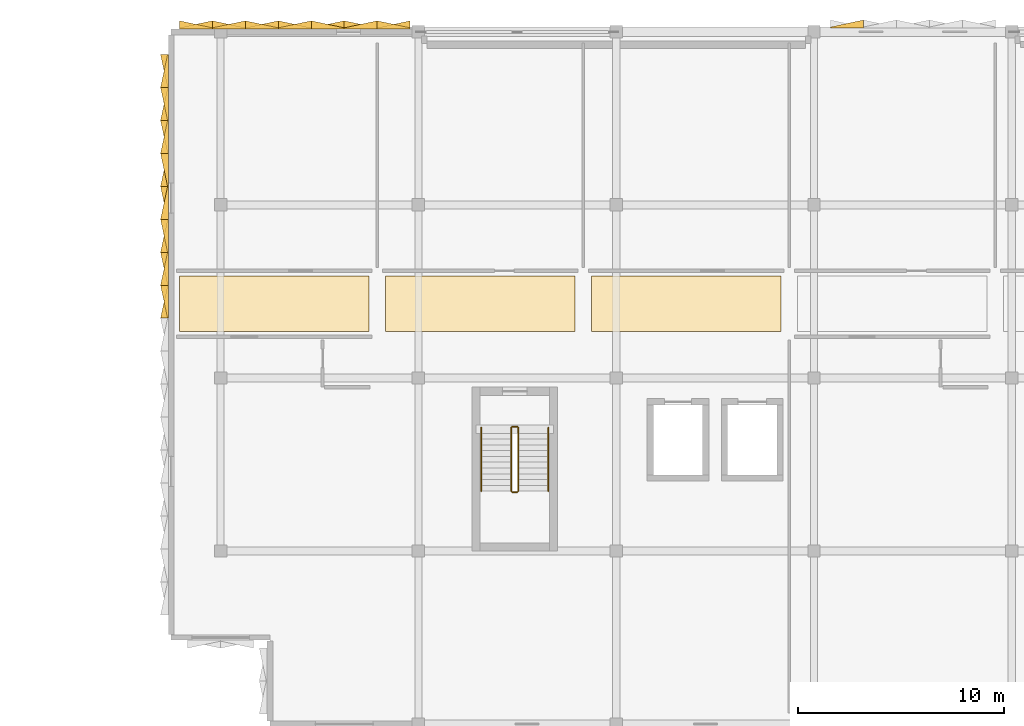
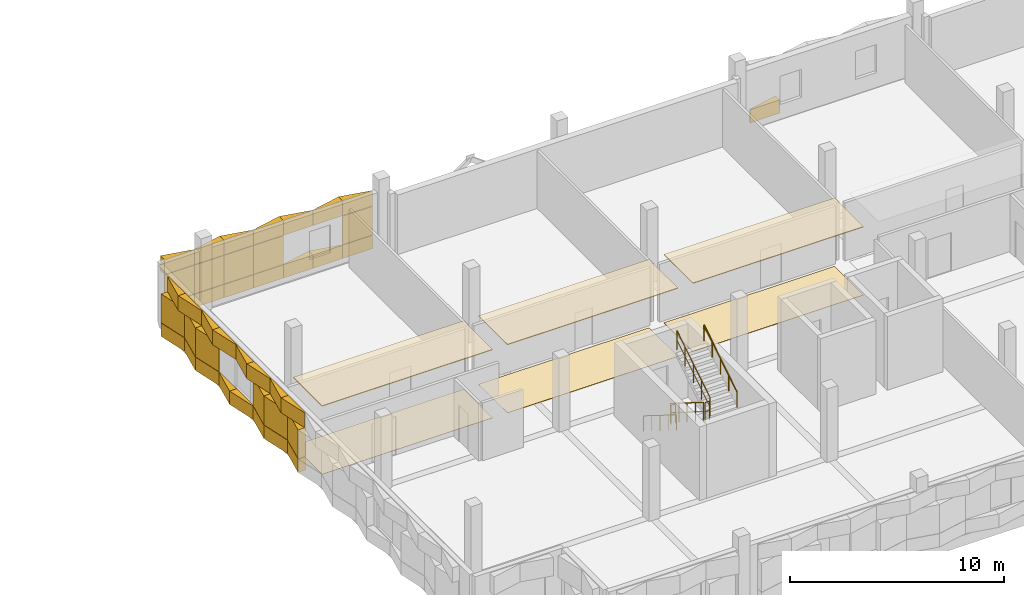
# One storey, part 16 of 18: 48 coverings, 6 railings.
"""IFC4 building model written with IfcOpenShell, lengths in metres."""

from ifc_helpers import new_model, si_unit, direction, frame, origin, origin_2d, place, context, subcontext, project, spatial, polyline, circle, outline, extrude, material, layer, layer_set, type_object, element, save


model = new_model("IFC4")

# Units and contexts
model_context = context("Model", 3, precision=1e-05, world=origin(), true_north=direction((0.0, 1.0)))
body_context = subcontext(model_context, "Body", "Model", "MODEL_VIEW")
ifc_project = project(units=[si_unit("LENGTHUNIT", "METRE"), si_unit("AREAUNIT", "SQUARE_METRE"), si_unit("VOLUMEUNIT", "CUBIC_METRE"), si_unit("PLANEANGLEUNIT", "RADIAN"), si_unit("MASSUNIT", "GRAM", prefix="KILO")], contexts=[model_context])

# Site, building, storey
site_placement = place(None, origin())
site = spatial("IfcSite", under=ifc_project, at=site_placement, CompositionType="ELEMENT")
building_placement = place(site_placement, origin())
building = spatial("IfcBuilding", under=site, at=building_placement, Name="Oolite Switchyard Hospital", CompositionType="ELEMENT")
storey_placement = place(building_placement, frame((0.0, 0.0, 26.199951171875)))
storey = spatial("IfcBuildingStorey", under=building, at=storey_placement, Name="L06", CompositionType="ELEMENT", Elevation=26.199951171875)

# Coverings
ifc_material_1 = material(Name="Hygienic washable mineral-fibre acoustic ceiling")
ifc_layer_1 = layer(ifc_material_1, 0.0400390625)
ifc_layer_set_1 = layer_set([ifc_layer_1], Name="COV-CEIL-AC60")
covering_type_1 = type_object("IfcCoveringType", Name="COV-CEIL-AC60", PredefinedType="CEILING", material=ifc_layer_set_1)
covering_1_placement = place(storey_placement, frame((0.0, 0.0, 3.885009765625)))
element("IfcCovering", 1, at=covering_1_placement, inside=storey, type_object=covering_type_1, Name="L06 East Stroke and Neuro-Rehab Ward Corridor Ceiling 1", PredefinedType="CEILING", context=body_context, shape_type="SweptSolid", body=[
    extrude(outline(polyline([(142.0, 119.85009765625), (151.199951171875, 119.85009765625), (151.199951171875, 122.550048828125), (142.0, 122.550048828125), (142.0, 119.85009765625)])), origin(), (0.0, 0.0, 1.0), 0.0400390625),
])
covering_2_placement = place(storey_placement, frame((0.0, 0.0, 3.885009765625)))
element("IfcCovering", 2, at=covering_2_placement, inside=storey, type_object=covering_type_1, Name="L06 East Stroke and Neuro-Rehab Ward Corridor Ceiling 2", PredefinedType="CEILING", context=body_context, shape_type="SweptSolid", body=[
    extrude(outline(polyline([(152.0, 119.85009765625), (161.199951171875, 119.85009765625), (161.199951171875, 122.550048828125), (152.0, 122.550048828125), (152.0, 119.85009765625)])), origin(), (0.0, 0.0, 1.0), 0.0400390625),
])
covering_3_placement = place(storey_placement, frame((0.0, 0.0, 3.885009765625)))
element("IfcCovering", 3, at=covering_3_placement, inside=storey, type_object=covering_type_1, Name="L06 East Stroke and Neuro-Rehab Ward Corridor Ceiling 3", PredefinedType="CEILING", context=body_context, shape_type="SweptSolid", body=[
    extrude(outline(polyline([(162.0, 119.85009765625), (171.199951171875, 119.85009765625), (171.199951171875, 122.550048828125), (162.0, 122.550048828125), (162.0, 119.85009765625)])), origin(), (0.0, 0.0, 1.0), 0.0400390625),
])
ifc_material_2 = material(Name="Precast oolitic limestone architectural concrete C40/50", Category="masonry")
covering_type_2 = type_object("IfcCoveringType", Name="COV-CHEV-COOL", PredefinedType="CLADDING", material=ifc_material_2)
covering_4_placement = place(storey_placement, frame((142.0, 134.550048828125, 0.050048828125), z_axis=(0.0, 0.0, 1.0), x_axis=(1.0, 0.0, 0.0)))
element("IfcCovering", 4, at=covering_4_placement, inside=storey, type_object=covering_type_2, Name="L06 Chevron Precast Oolite Panel 1534", PredefinedType="CLADDING", context=body_context, shape_type="SweptSolid", body=[
    extrude(outline(polyline([(0.0, 0.0), (1.60009765625, 0.0), (1.60009765625, 0.385009765625), (0.0, 0.044921875), (0.0, 0.0)])), origin(), (0.0, 0.0, 1.0), 0.760009765625),
])
covering_5_placement = place(storey_placement, frame((142.0, 134.550048828125, 2.489990234375), z_axis=(0.0, 0.0, 1.0), x_axis=(1.0, 0.0, 0.0)))
element("IfcCovering", 5, at=covering_5_placement, inside=storey, type_object=covering_type_2, Name="L06 Chevron Precast Oolite Panel 1535", PredefinedType="CLADDING", context=body_context, shape_type="SweptSolid", body=[
    extrude(outline(polyline([(0.0, 0.0), (1.60009765625, 0.0), (1.60009765625, 0.044921875), (0.0, 0.385009765625), (0.0, 0.0)])), origin(), (0.0, 0.0, 1.0), 0.85009765625),
])
covering_6_placement = place(storey_placement, frame((142.0, 134.550048828125, 0.830078125), z_axis=(0.0, 0.0, 1.0), x_axis=(1.0, 0.0, 0.0)))
element("IfcCovering", 6, at=covering_6_placement, inside=storey, type_object=covering_type_2, Name="L06 Chevron Precast Oolite Panel 1536", PredefinedType="CLADDING", context=body_context, shape_type="SweptSolid", body=[
    extrude(outline(polyline([(0.0, 0.0), (1.60009765625, 0.0), (1.60009765625, 0.385009765625), (0.0, 0.044921875), (0.0, 0.0)])), origin(), (0.0, 0.0, 1.0), 1.639892578125),
])
covering_7_placement = place(storey_placement, frame((143.60009765625, 134.550048828125, 0.050048828125), z_axis=(0.0, 0.0, 1.0), x_axis=(1.0, 0.0, 0.0)))
element("IfcCovering", 7, at=covering_7_placement, inside=storey, type_object=covering_type_2, Name="L06 Chevron Precast Oolite Panel 1537", PredefinedType="CLADDING", context=body_context, shape_type="SweptSolid", body=[
    extrude(outline(polyline([(0.0, 0.0), (1.599853515625, 0.0), (1.599853515625, 0.044921875), (0.0, 0.385009765625), (0.0, 0.0)])), origin(), (0.0, 0.0, 1.0), 0.760009765625),
])
covering_8_placement = place(storey_placement, frame((143.60009765625, 134.550048828125, 2.489990234375), z_axis=(0.0, 0.0, 1.0), x_axis=(1.0, 0.0, 0.0)))
element("IfcCovering", 8, at=covering_8_placement, inside=storey, type_object=covering_type_2, Name="L06 Chevron Precast Oolite Panel 1538", PredefinedType="CLADDING", context=body_context, shape_type="SweptSolid", body=[
    extrude(outline(polyline([(0.0, 0.0), (1.599853515625, 0.0), (1.599853515625, 0.385009765625), (0.0, 0.044921875), (0.0, 0.0)])), origin(), (0.0, 0.0, 1.0), 0.85009765625),
])
covering_9_placement = place(storey_placement, frame((143.60009765625, 134.550048828125, 0.830078125), z_axis=(0.0, 0.0, 1.0), x_axis=(1.0, 0.0, 0.0)))
element("IfcCovering", 9, at=covering_9_placement, inside=storey, type_object=covering_type_2, Name="L06 Chevron Precast Oolite Panel 1539", PredefinedType="CLADDING", context=body_context, shape_type="SweptSolid", body=[
    extrude(outline(polyline([(0.0, 0.0), (1.599853515625, 0.0), (1.599853515625, 0.044921875), (0.0, 0.385009765625), (0.0, 0.0)])), origin(), (0.0, 0.0, 1.0), 1.639892578125),
])
covering_10_placement = place(storey_placement, frame((145.199951171875, 134.550048828125, 0.050048828125), z_axis=(0.0, 0.0, 1.0), x_axis=(1.0, 0.0, 0.0)))
element("IfcCovering", 10, at=covering_10_placement, inside=storey, type_object=covering_type_2, Name="L06 Chevron Precast Oolite Panel 1540", PredefinedType="CLADDING", context=body_context, shape_type="SweptSolid", body=[
    extrude(outline(polyline([(0.0, 0.0), (1.60009765625, 0.0), (1.60009765625, 0.385009765625), (0.0, 0.044921875), (0.0, 0.0)])), origin(), (0.0, 0.0, 1.0), 0.760009765625),
])
covering_11_placement = place(storey_placement, frame((145.199951171875, 134.550048828125, 2.489990234375), z_axis=(0.0, 0.0, 1.0), x_axis=(1.0, 0.0, 0.0)))
element("IfcCovering", 11, at=covering_11_placement, inside=storey, type_object=covering_type_2, Name="L06 Chevron Precast Oolite Panel 1541", PredefinedType="CLADDING", context=body_context, shape_type="SweptSolid", body=[
    extrude(outline(polyline([(0.0, 0.0), (1.60009765625, 0.0), (1.60009765625, 0.044921875), (0.0, 0.385009765625), (0.0, 0.0)])), origin(), (0.0, 0.0, 1.0), 0.85009765625),
])
covering_12_placement = place(storey_placement, frame((145.199951171875, 134.550048828125, 0.830078125), z_axis=(0.0, 0.0, 1.0), x_axis=(1.0, 0.0, 0.0)))
element("IfcCovering", 12, at=covering_12_placement, inside=storey, type_object=covering_type_2, Name="L06 Chevron Precast Oolite Panel 1542", PredefinedType="CLADDING", context=body_context, shape_type="SweptSolid", body=[
    extrude(outline(polyline([(0.0, 0.0), (1.60009765625, 0.0), (1.60009765625, 0.385009765625), (0.0, 0.044921875), (0.0, 0.0)])), origin(), (0.0, 0.0, 1.0), 1.639892578125),
])
covering_13_placement = place(storey_placement, frame((146.800048828125, 134.550048828125, 0.050048828125), z_axis=(0.0, 0.0, 1.0), x_axis=(1.0, 0.0, 0.0)))
element("IfcCovering", 13, at=covering_13_placement, inside=storey, type_object=covering_type_2, Name="L06 Chevron Precast Oolite Panel 1543", PredefinedType="CLADDING", context=body_context, shape_type="SweptSolid", body=[
    extrude(outline(polyline([(0.0, 0.0), (1.599853515625, 0.0), (1.599853515625, 0.044921875), (0.0, 0.385009765625), (0.0, 0.0)])), origin(), (0.0, 0.0, 1.0), 0.760009765625),
])
covering_14_placement = place(storey_placement, frame((146.800048828125, 134.550048828125, 2.489990234375), z_axis=(0.0, 0.0, 1.0), x_axis=(1.0, 0.0, 0.0)))
element("IfcCovering", 14, at=covering_14_placement, inside=storey, type_object=covering_type_2, Name="L06 Chevron Precast Oolite Panel 1544", PredefinedType="CLADDING", context=body_context, shape_type="SweptSolid", body=[
    extrude(outline(polyline([(0.0, 0.0), (1.599853515625, 0.0), (1.599853515625, 0.385009765625), (0.0, 0.044921875), (0.0, 0.0)])), origin(), (0.0, 0.0, 1.0), 0.85009765625),
])
covering_15_placement = place(storey_placement, frame((146.800048828125, 134.550048828125, 0.830078125), z_axis=(0.0, 0.0, 1.0), x_axis=(1.0, 0.0, 0.0)))
element("IfcCovering", 15, at=covering_15_placement, inside=storey, type_object=covering_type_2, Name="L06 Chevron Precast Oolite Panel 1545", PredefinedType="CLADDING", context=body_context, shape_type="SweptSolid", body=[
    extrude(outline(polyline([(0.0, 0.0), (1.599853515625, 0.0), (1.599853515625, 0.044921875), (0.0, 0.385009765625), (0.0, 0.0)])), origin(), (0.0, 0.0, 1.0), 1.639892578125),
])
covering_16_placement = place(storey_placement, frame((148.39990234375, 134.550048828125, 0.050048828125), z_axis=(0.0, 0.0, 1.0), x_axis=(1.0, 0.0, 0.0)))
element("IfcCovering", 16, at=covering_16_placement, inside=storey, type_object=covering_type_2, Name="L06 Chevron Precast Oolite Panel 1546", PredefinedType="CLADDING", context=body_context, shape_type="SweptSolid", body=[
    extrude(outline(polyline([(0.0, 0.0), (1.60009765625, 0.0), (1.60009765625, 0.385009765625), (0.0, 0.044921875), (0.0, 0.0)])), origin(), (0.0, 0.0, 1.0), 0.760009765625),
])
covering_17_placement = place(storey_placement, frame((148.39990234375, 134.550048828125, 2.489990234375), z_axis=(0.0, 0.0, 1.0), x_axis=(1.0, 0.0, 0.0)))
element("IfcCovering", 17, at=covering_17_placement, inside=storey, type_object=covering_type_2, Name="L06 Chevron Precast Oolite Panel 1547", PredefinedType="CLADDING", context=body_context, shape_type="SweptSolid", body=[
    extrude(outline(polyline([(0.0, 0.0), (1.60009765625, 0.0), (1.60009765625, 0.044921875), (0.0, 0.385009765625), (0.0, 0.0)])), origin(), (0.0, 0.0, 1.0), 0.85009765625),
])
covering_18_placement = place(storey_placement, frame((150.0, 134.550048828125, 0.050048828125), z_axis=(0.0, 0.0, 1.0), x_axis=(1.0, 0.0, 0.0)))
element("IfcCovering", 18, at=covering_18_placement, inside=storey, type_object=covering_type_2, Name="L06 Chevron Precast Oolite Panel 1548", PredefinedType="CLADDING", context=body_context, shape_type="SweptSolid", body=[
    extrude(outline(polyline([(0.0, 0.0), (1.60009765625, 0.0), (1.60009765625, 0.044921875), (0.0, 0.385009765625), (0.0, 0.0)])), origin(), (0.0, 0.0, 1.0), 0.760009765625),
])
covering_19_placement = place(storey_placement, frame((150.0, 134.550048828125, 2.489990234375), z_axis=(0.0, 0.0, 1.0), x_axis=(1.0, 0.0, 0.0)))
element("IfcCovering", 19, at=covering_19_placement, inside=storey, type_object=covering_type_2, Name="L06 Chevron Precast Oolite Panel 1549", PredefinedType="CLADDING", context=body_context, shape_type="SweptSolid", body=[
    extrude(outline(polyline([(0.0, 0.0), (1.60009765625, 0.0), (1.60009765625, 0.385009765625), (0.0, 0.044921875), (0.0, 0.0)])), origin(), (0.0, 0.0, 1.0), 0.85009765625),
])
covering_20_placement = place(storey_placement, frame((151.60009765625, 134.550048828125, 0.050048828125), z_axis=(0.0, 0.0, 1.0), x_axis=(1.0, 0.0, 0.0)))
element("IfcCovering", 20, at=covering_20_placement, inside=storey, type_object=covering_type_2, Name="L06 Chevron Precast Oolite Panel 1550", PredefinedType="CLADDING", context=body_context, shape_type="SweptSolid", body=[
    extrude(outline(polyline([(0.0, 0.0), (1.599853515625, 0.0), (1.599853515625, 0.385009765625), (0.0, 0.044921875), (0.0, 0.0)])), origin(), (0.0, 0.0, 1.0), 0.760009765625),
])
covering_21_placement = place(storey_placement, frame((151.60009765625, 134.550048828125, 2.489990234375), z_axis=(0.0, 0.0, 1.0), x_axis=(1.0, 0.0, 0.0)))
element("IfcCovering", 21, at=covering_21_placement, inside=storey, type_object=covering_type_2, Name="L06 Chevron Precast Oolite Panel 1551", PredefinedType="CLADDING", context=body_context, shape_type="SweptSolid", body=[
    extrude(outline(polyline([(0.0, 0.0), (1.599853515625, 0.0), (1.599853515625, 0.044921875), (0.0, 0.385009765625), (0.0, 0.0)])), origin(), (0.0, 0.0, 1.0), 0.85009765625),
])
covering_22_placement = place(storey_placement, frame((151.60009765625, 134.550048828125, 0.830078125), z_axis=(0.0, 0.0, 1.0), x_axis=(1.0, 0.0, 0.0)))
element("IfcCovering", 22, at=covering_22_placement, inside=storey, type_object=covering_type_2, Name="L06 Chevron Precast Oolite Panel 1552", PredefinedType="CLADDING", context=body_context, shape_type="SweptSolid", body=[
    extrude(outline(polyline([(0.0, 0.0), (1.599853515625, 0.0), (1.599853515625, 0.385009765625), (0.0, 0.044921875), (0.0, 0.0)])), origin(), (0.0, 0.0, 1.0), 1.639892578125),
])
covering_23_placement = place(storey_placement, frame((173.60009765625, 134.590087890625, 0.050048828125), z_axis=(0.0, 0.0, 1.0), x_axis=(1.0, 0.0, 0.0)))
element("IfcCovering", 23, at=covering_23_placement, inside=storey, type_object=covering_type_2, Name="L06 Chevron Precast Oolite Panel 1553", PredefinedType="CLADDING", context=body_context, shape_type="SweptSolid", body=[
    extrude(outline(polyline([(0.0, 0.0), (1.599853515625, 0.0), (1.599853515625, 0.385009765625), (0.0, 0.044921875), (0.0, 0.0)])), origin(), (0.0, 0.0, 1.0), 0.760009765625),
])
covering_24_placement = place(storey_placement, frame((141.469970703125, 120.5, 0.050048828125), z_axis=(0.0, 0.0, 1.0), x_axis=(0.0, 1.0, 0.0)))
element("IfcCovering", 24, at=covering_24_placement, inside=storey, type_object=covering_type_2, Name="L06 Chevron Precast Oolite Panel 1620", PredefinedType="CLADDING", context=body_context, shape_type="SweptSolid", body=[
    extrude(outline(polyline([(0.0, 0.0), (1.60009765625, 0.0), (1.60009765625, 0.044921875), (0.0, 0.385009765625), (0.0, 0.0)])), origin(), (0.0, 0.0, 1.0), 0.760009765625),
])
covering_25_placement = place(storey_placement, frame((141.469970703125, 120.5, 2.489990234375), z_axis=(0.0, 0.0, 1.0), x_axis=(0.0, 1.0, 0.0)))
element("IfcCovering", 25, at=covering_25_placement, inside=storey, type_object=covering_type_2, Name="L06 Chevron Precast Oolite Panel 1621", PredefinedType="CLADDING", context=body_context, shape_type="SweptSolid", body=[
    extrude(outline(polyline([(0.0, 0.0), (1.60009765625, 0.0), (1.60009765625, 0.385009765625), (0.0, 0.044921875), (0.0, 0.0)])), origin(), (0.0, 0.0, 1.0), 0.85009765625),
])
covering_26_placement = place(storey_placement, frame((141.469970703125, 120.5, 0.830078125), z_axis=(0.0, 0.0, 1.0), x_axis=(0.0, 1.0, 0.0)))
element("IfcCovering", 26, at=covering_26_placement, inside=storey, type_object=covering_type_2, Name="L06 Chevron Precast Oolite Panel 1622", PredefinedType="CLADDING", context=body_context, shape_type="SweptSolid", body=[
    extrude(outline(polyline([(0.0, 0.0), (1.60009765625, 0.0), (1.60009765625, 0.044921875), (0.0, 0.385009765625), (0.0, 0.0)])), origin(), (0.0, 0.0, 1.0), 1.639892578125),
])
covering_27_placement = place(storey_placement, frame((141.469970703125, 122.10009765625, 0.050048828125), z_axis=(0.0, 0.0, 1.0), x_axis=(0.0, 1.0, 0.0)))
element("IfcCovering", 27, at=covering_27_placement, inside=storey, type_object=covering_type_2, Name="L06 Chevron Precast Oolite Panel 1623", PredefinedType="CLADDING", context=body_context, shape_type="SweptSolid", body=[
    extrude(outline(polyline([(0.0, 0.0), (1.599853515625, 0.0), (1.599853515625, 0.385009765625), (0.0, 0.044921875), (0.0, 0.0)])), origin(), (0.0, 0.0, 1.0), 0.760009765625),
])
covering_28_placement = place(storey_placement, frame((141.469970703125, 122.10009765625, 2.489990234375), z_axis=(0.0, 0.0, 1.0), x_axis=(0.0, 1.0, 0.0)))
element("IfcCovering", 28, at=covering_28_placement, inside=storey, type_object=covering_type_2, Name="L06 Chevron Precast Oolite Panel 1624", PredefinedType="CLADDING", context=body_context, shape_type="SweptSolid", body=[
    extrude(outline(polyline([(0.0, 0.0), (1.599853515625, 0.0), (1.599853515625, 0.044921875), (0.0, 0.385009765625), (0.0, 0.0)])), origin(), (0.0, 0.0, 1.0), 0.85009765625),
])
covering_29_placement = place(storey_placement, frame((141.469970703125, 122.10009765625, 0.830078125), z_axis=(0.0, 0.0, 1.0), x_axis=(0.0, 1.0, 0.0)))
element("IfcCovering", 29, at=covering_29_placement, inside=storey, type_object=covering_type_2, Name="L06 Chevron Precast Oolite Panel 1625", PredefinedType="CLADDING", context=body_context, shape_type="SweptSolid", body=[
    extrude(outline(polyline([(0.0, 0.0), (1.599853515625, 0.0), (1.599853515625, 0.385009765625), (0.0, 0.044921875), (0.0, 0.0)])), origin(), (0.0, 0.0, 1.0), 1.639892578125),
])
covering_30_placement = place(storey_placement, frame((141.469970703125, 123.699951171875, 0.050048828125), z_axis=(0.0, 0.0, 1.0), x_axis=(0.0, 1.0, 0.0)))
element("IfcCovering", 30, at=covering_30_placement, inside=storey, type_object=covering_type_2, Name="L06 Chevron Precast Oolite Panel 1626", PredefinedType="CLADDING", context=body_context, shape_type="SweptSolid", body=[
    extrude(outline(polyline([(0.0, 0.0), (1.60009765625, 0.0), (1.60009765625, 0.044921875), (0.0, 0.385009765625), (0.0, 0.0)])), origin(), (0.0, 0.0, 1.0), 0.760009765625),
])
covering_31_placement = place(storey_placement, frame((141.469970703125, 123.699951171875, 2.489990234375), z_axis=(0.0, 0.0, 1.0), x_axis=(0.0, 1.0, 0.0)))
element("IfcCovering", 31, at=covering_31_placement, inside=storey, type_object=covering_type_2, Name="L06 Chevron Precast Oolite Panel 1627", PredefinedType="CLADDING", context=body_context, shape_type="SweptSolid", body=[
    extrude(outline(polyline([(0.0, 0.0), (1.60009765625, 0.0), (1.60009765625, 0.385009765625), (0.0, 0.044921875), (0.0, 0.0)])), origin(), (0.0, 0.0, 1.0), 0.85009765625),
])
covering_32_placement = place(storey_placement, frame((141.469970703125, 123.699951171875, 0.830078125), z_axis=(0.0, 0.0, 1.0), x_axis=(0.0, 1.0, 0.0)))
element("IfcCovering", 32, at=covering_32_placement, inside=storey, type_object=covering_type_2, Name="L06 Chevron Precast Oolite Panel 1628", PredefinedType="CLADDING", context=body_context, shape_type="SweptSolid", body=[
    extrude(outline(polyline([(0.0, 0.0), (1.60009765625, 0.0), (1.60009765625, 0.044921875), (0.0, 0.385009765625), (0.0, 0.0)])), origin(), (0.0, 0.0, 1.0), 1.639892578125),
])
covering_33_placement = place(storey_placement, frame((141.469970703125, 125.300048828125, 0.050048828125), z_axis=(0.0, 0.0, 1.0), x_axis=(0.0, 1.0, 0.0)))
element("IfcCovering", 33, at=covering_33_placement, inside=storey, type_object=covering_type_2, Name="L06 Chevron Precast Oolite Panel 1629", PredefinedType="CLADDING", context=body_context, shape_type="SweptSolid", body=[
    extrude(outline(polyline([(0.0, 0.0), (1.599853515625, 0.0), (1.599853515625, 0.385009765625), (0.0, 0.044921875), (0.0, 0.0)])), origin(), (0.0, 0.0, 1.0), 0.760009765625),
])
covering_34_placement = place(storey_placement, frame((141.469970703125, 125.300048828125, 2.489990234375), z_axis=(0.0, 0.0, 1.0), x_axis=(0.0, 1.0, 0.0)))
element("IfcCovering", 34, at=covering_34_placement, inside=storey, type_object=covering_type_2, Name="L06 Chevron Precast Oolite Panel 1630", PredefinedType="CLADDING", context=body_context, shape_type="SweptSolid", body=[
    extrude(outline(polyline([(0.0, 0.0), (1.599853515625, 0.0), (1.599853515625, 0.044921875), (0.0, 0.385009765625), (0.0, 0.0)])), origin(), (0.0, 0.0, 1.0), 0.85009765625),
])
covering_35_placement = place(storey_placement, frame((141.469970703125, 126.89990234375, 0.050048828125), z_axis=(0.0, 0.0, 1.0), x_axis=(0.0, 1.0, 0.0)))
element("IfcCovering", 35, at=covering_35_placement, inside=storey, type_object=covering_type_2, Name="L06 Chevron Precast Oolite Panel 1631", PredefinedType="CLADDING", context=body_context, shape_type="SweptSolid", body=[
    extrude(outline(polyline([(0.0, 0.0), (1.60009765625, 0.0), (1.60009765625, 0.044921875), (0.0, 0.385009765625), (0.0, 0.0)])), origin(), (0.0, 0.0, 1.0), 0.760009765625),
])
covering_36_placement = place(storey_placement, frame((141.469970703125, 126.89990234375, 2.489990234375), z_axis=(0.0, 0.0, 1.0), x_axis=(0.0, 1.0, 0.0)))
element("IfcCovering", 36, at=covering_36_placement, inside=storey, type_object=covering_type_2, Name="L06 Chevron Precast Oolite Panel 1632", PredefinedType="CLADDING", context=body_context, shape_type="SweptSolid", body=[
    extrude(outline(polyline([(0.0, 0.0), (1.60009765625, 0.0), (1.60009765625, 0.385009765625), (0.0, 0.044921875), (0.0, 0.0)])), origin(), (0.0, 0.0, 1.0), 0.85009765625),
])
covering_37_placement = place(storey_placement, frame((141.469970703125, 128.5, 0.050048828125), z_axis=(0.0, 0.0, 1.0), x_axis=(0.0, 1.0, 0.0)))
element("IfcCovering", 37, at=covering_37_placement, inside=storey, type_object=covering_type_2, Name="L06 Chevron Precast Oolite Panel 1633", PredefinedType="CLADDING", context=body_context, shape_type="SweptSolid", body=[
    extrude(outline(polyline([(0.0, 0.0), (1.60009765625, 0.0), (1.60009765625, 0.385009765625), (0.0, 0.044921875), (0.0, 0.0)])), origin(), (0.0, 0.0, 1.0), 0.760009765625),
])
covering_38_placement = place(storey_placement, frame((141.469970703125, 128.5, 2.489990234375), z_axis=(0.0, 0.0, 1.0), x_axis=(0.0, 1.0, 0.0)))
element("IfcCovering", 38, at=covering_38_placement, inside=storey, type_object=covering_type_2, Name="L06 Chevron Precast Oolite Panel 1634", PredefinedType="CLADDING", context=body_context, shape_type="SweptSolid", body=[
    extrude(outline(polyline([(0.0, 0.0), (1.60009765625, 0.0), (1.60009765625, 0.044921875), (0.0, 0.385009765625), (0.0, 0.0)])), origin(), (0.0, 0.0, 1.0), 0.85009765625),
])
covering_39_placement = place(storey_placement, frame((141.469970703125, 128.5, 0.830078125), z_axis=(0.0, 0.0, 1.0), x_axis=(0.0, 1.0, 0.0)))
element("IfcCovering", 39, at=covering_39_placement, inside=storey, type_object=covering_type_2, Name="L06 Chevron Precast Oolite Panel 1635", PredefinedType="CLADDING", context=body_context, shape_type="SweptSolid", body=[
    extrude(outline(polyline([(0.0, 0.0), (1.60009765625, 0.0), (1.60009765625, 0.385009765625), (0.0, 0.044921875), (0.0, 0.0)])), origin(), (0.0, 0.0, 1.0), 1.639892578125),
])
covering_40_placement = place(storey_placement, frame((141.469970703125, 130.10009765625, 0.050048828125), z_axis=(0.0, 0.0, 1.0), x_axis=(0.0, 1.0, 0.0)))
element("IfcCovering", 40, at=covering_40_placement, inside=storey, type_object=covering_type_2, Name="L06 Chevron Precast Oolite Panel 1636", PredefinedType="CLADDING", context=body_context, shape_type="SweptSolid", body=[
    extrude(outline(polyline([(0.0, 0.0), (1.599853515625, 0.0), (1.599853515625, 0.044921875), (0.0, 0.385009765625), (0.0, 0.0)])), origin(), (0.0, 0.0, 1.0), 0.760009765625),
])
covering_41_placement = place(storey_placement, frame((141.469970703125, 130.10009765625, 2.489990234375), z_axis=(0.0, 0.0, 1.0), x_axis=(0.0, 1.0, 0.0)))
element("IfcCovering", 41, at=covering_41_placement, inside=storey, type_object=covering_type_2, Name="L06 Chevron Precast Oolite Panel 1637", PredefinedType="CLADDING", context=body_context, shape_type="SweptSolid", body=[
    extrude(outline(polyline([(0.0, 0.0), (1.599853515625, 0.0), (1.599853515625, 0.385009765625), (0.0, 0.044921875), (0.0, 0.0)])), origin(), (0.0, 0.0, 1.0), 0.85009765625),
])
covering_42_placement = place(storey_placement, frame((141.469970703125, 130.10009765625, 0.830078125), z_axis=(0.0, 0.0, 1.0), x_axis=(0.0, 1.0, 0.0)))
element("IfcCovering", 42, at=covering_42_placement, inside=storey, type_object=covering_type_2, Name="L06 Chevron Precast Oolite Panel 1638", PredefinedType="CLADDING", context=body_context, shape_type="SweptSolid", body=[
    extrude(outline(polyline([(0.0, 0.0), (1.599853515625, 0.0), (1.599853515625, 0.044921875), (0.0, 0.385009765625), (0.0, 0.0)])), origin(), (0.0, 0.0, 1.0), 1.639892578125),
])
covering_43_placement = place(storey_placement, frame((141.469970703125, 131.699951171875, 0.050048828125), z_axis=(0.0, 0.0, 1.0), x_axis=(0.0, 1.0, 0.0)))
element("IfcCovering", 43, at=covering_43_placement, inside=storey, type_object=covering_type_2, Name="L06 Chevron Precast Oolite Panel 1639", PredefinedType="CLADDING", context=body_context, shape_type="SweptSolid", body=[
    extrude(outline(polyline([(0.0, 0.0), (1.60009765625, 0.0), (1.60009765625, 0.385009765625), (0.0, 0.044921875), (0.0, 0.0)])), origin(), (0.0, 0.0, 1.0), 0.760009765625),
])
covering_44_placement = place(storey_placement, frame((141.469970703125, 131.699951171875, 2.489990234375), z_axis=(0.0, 0.0, 1.0), x_axis=(0.0, 1.0, 0.0)))
element("IfcCovering", 44, at=covering_44_placement, inside=storey, type_object=covering_type_2, Name="L06 Chevron Precast Oolite Panel 1640", PredefinedType="CLADDING", context=body_context, shape_type="SweptSolid", body=[
    extrude(outline(polyline([(0.0, 0.0), (1.60009765625, 0.0), (1.60009765625, 0.044921875), (0.0, 0.385009765625), (0.0, 0.0)])), origin(), (0.0, 0.0, 1.0), 0.85009765625),
])
covering_45_placement = place(storey_placement, frame((141.469970703125, 131.699951171875, 0.830078125), z_axis=(0.0, 0.0, 1.0), x_axis=(0.0, 1.0, 0.0)))
element("IfcCovering", 45, at=covering_45_placement, inside=storey, type_object=covering_type_2, Name="L06 Chevron Precast Oolite Panel 1641", PredefinedType="CLADDING", context=body_context, shape_type="SweptSolid", body=[
    extrude(outline(polyline([(0.0, 0.0), (1.60009765625, 0.0), (1.60009765625, 0.385009765625), (0.0, 0.044921875), (0.0, 0.0)])), origin(), (0.0, 0.0, 1.0), 1.639892578125),
])
ifc_material_3 = material(Name="Epoxy terrazzo seamless clinical flooring")
ifc_layer_2 = layer(ifc_material_3, 0.02001953125)
ifc_layer_set_2 = layer_set([ifc_layer_2], Name="COV-FLR-TER20")
covering_type_3 = type_object("IfcCoveringType", Name="COV-FLR-TER20", PredefinedType="FLOORING", material=ifc_layer_set_2)
covering_46_placement = place(storey_placement, origin())
element("IfcCovering", 46, at=covering_46_placement, inside=storey, type_object=covering_type_3, Name="L06 East Stroke and Neuro-Rehab Ward Corridor Flooring 1", PredefinedType="FLOORING", context=body_context, shape_type="SweptSolid", body=[
    extrude(outline(polyline([(142.0, 119.85009765625), (151.199951171875, 119.85009765625), (151.199951171875, 122.550048828125), (142.0, 122.550048828125), (142.0, 119.85009765625)])), origin(), (0.0, 0.0, 1.0), 0.02001953125),
])
covering_47_placement = place(storey_placement, origin())
element("IfcCovering", 47, at=covering_47_placement, inside=storey, type_object=covering_type_3, Name="L06 East Stroke and Neuro-Rehab Ward Corridor Flooring 2", PredefinedType="FLOORING", context=body_context, shape_type="SweptSolid", body=[
    extrude(outline(polyline([(152.0, 119.85009765625), (161.199951171875, 119.85009765625), (161.199951171875, 122.550048828125), (152.0, 122.550048828125), (152.0, 119.85009765625)])), origin(), (0.0, 0.0, 1.0), 0.02001953125),
])
covering_48_placement = place(storey_placement, origin())
element("IfcCovering", 48, at=covering_48_placement, inside=storey, type_object=covering_type_3, Name="L06 East Stroke and Neuro-Rehab Ward Corridor Flooring 3", PredefinedType="FLOORING", context=body_context, shape_type="SweptSolid", body=[
    extrude(outline(polyline([(162.0, 119.85009765625), (171.199951171875, 119.85009765625), (171.199951171875, 122.550048828125), (162.0, 122.550048828125), (162.0, 119.85009765625)])), origin(), (0.0, 0.0, 1.0), 0.02001953125),
])

# Railings
ifc_material_4 = material(Name="Galvanized painted architectural steel handrail", Category="steel")
railing_type_1 = type_object("IfcRailingType", Name="RL-STAIR-GRD", PredefinedType="GUARDRAIL", material=ifc_material_4)
railing_1_placement = place(storey_placement, frame((158.110107421875, 115.18994140625, 0.175048828125)))
element("IfcRailing", 49, at=railing_1_placement, inside=storey, type_object=railing_type_1, Name="L06 ST-03 stair guard 1", PredefinedType="GUARDRAIL", context=body_context, shape_type="SweptSolid", body=[
    extrude(circle(Radius=0.02392578125, at=origin_2d()), frame((0.0, 0.0, 1.076171875), z_axis=(0.0, -0.847979421464, 0.530029150871), x_axis=(1.0, 0.0, 0.0)), (0.0, 0.0, 1.0), 3.632080078125),
    extrude(circle(Radius=0.015625, at=origin_2d()), frame((0.0, 0.0, 0.550048828125), z_axis=(0.0, -0.847979421464, 0.530029150871), x_axis=(1.0, 0.0, 0.0)), (0.0, 0.0, 1.0), 3.632080078125),
    extrude(circle(Radius=0.02099609375, at=origin_2d()), origin(), (0.0, 0.0, 1.0), 1.052001953125),
    extrude(circle(Radius=0.02099609375, at=origin_2d()), frame((0.0, -0.77001953125, 0.481201171875)), (0.0, 0.0, 1.0), 1.052001953125),
    extrude(circle(Radius=0.02099609375, at=origin_2d()), frame((0.0, -1.5400390625, 0.96240234375)), (0.0, 0.0, 1.0), 1.052001953125),
    extrude(circle(Radius=0.02099609375, at=origin_2d()), frame((0.0, -2.309814453125, 1.44384765625)), (0.0, 0.0, 1.0), 1.052001953125),
    extrude(circle(Radius=0.02099609375, at=origin_2d()), frame((0.0, -3.079833984375, 1.925048828125)), (0.0, 0.0, 1.0), 1.052001953125),
])
railing_2_placement = place(storey_placement, frame((158.159912109375, 112.06005859375, 2.10009765625)))
element("IfcRailing", 50, at=railing_2_placement, inside=storey, type_object=railing_type_1, Name="L06 ST-03 stair guard 2", PredefinedType="GUARDRAIL", context=body_context, shape_type="SweptSolid", body=[
    extrude(circle(Radius=0.02392578125, at=origin_2d()), frame((0.0, 0.0, 1.076171875), z_axis=(1.0, 0.0, 0.0), x_axis=(0.0, 1.0, 0.0)), (0.0, 0.0, 1.0), 0.239990234375),
    extrude(circle(Radius=0.015625, at=origin_2d()), frame((0.0, 0.0, 0.550048828125), z_axis=(1.0, 0.0, 0.0), x_axis=(0.0, 1.0, 0.0)), (0.0, 0.0, 1.0), 0.239990234375),
    extrude(circle(Radius=0.02099609375, at=origin_2d()), origin(), (0.0, 0.0, 1.0), 1.052001953125),
    extrude(circle(Radius=0.02099609375, at=origin_2d()), frame((0.239990234375, 0.0, 0.0)), (0.0, 0.0, 1.0), 1.052001953125),
])
railing_3_placement = place(storey_placement, frame((158.449951171875, 112.110107421875, 2.275146484375)))
element("IfcRailing", 51, at=railing_3_placement, inside=storey, type_object=railing_type_1, Name="L06 ST-03 stair guard 3", PredefinedType="GUARDRAIL", context=body_context, shape_type="SweptSolid", body=[
    extrude(circle(Radius=0.02392578125, at=origin_2d()), frame((0.0, 0.0, 1.076171875), z_axis=(0.0, 0.848009633417, 0.529980812513), x_axis=(-1.0, 0.0, 0.0)), (0.0, 0.0, 1.0), 3.6318359375),
    extrude(circle(Radius=0.015625, at=origin_2d()), frame((0.0, 0.0, 0.550048828125), z_axis=(0.0, 0.848009633417, 0.529980812513), x_axis=(-1.0, 0.0, 0.0)), (0.0, 0.0, 1.0), 3.6318359375),
    extrude(circle(Radius=0.02099609375, at=origin_2d()), origin(), (0.0, 0.0, 1.0), 1.052001953125),
    extrude(circle(Radius=0.02099609375, at=origin_2d()), frame((0.0, 0.77001953125, 0.481201171875)), (0.0, 0.0, 1.0), 1.052001953125),
    extrude(circle(Radius=0.02099609375, at=origin_2d()), frame((0.0, 1.5400390625, 0.96240234375)), (0.0, 0.0, 1.0), 1.052001953125),
    extrude(circle(Radius=0.02099609375, at=origin_2d()), frame((0.0, 2.309814453125, 1.443603515625)), (0.0, 0.0, 1.0), 1.052001953125),
    extrude(circle(Radius=0.02099609375, at=origin_2d()), frame((0.0, 3.079833984375, 1.9248046875)), (0.0, 0.0, 1.0), 1.052001953125),
])
railing_4_placement = place(storey_placement, frame((158.159912109375, 115.239990234375, 0.0)))
element("IfcRailing", 52, at=railing_4_placement, inside=storey, type_object=railing_type_1, Name="L06 ST-03 stair guard 4", PredefinedType="GUARDRAIL", context=body_context, shape_type="SweptSolid", body=[
    extrude(circle(Radius=0.02392578125, at=origin_2d()), frame((0.0, 0.0, 1.076171875), z_axis=(1.0, 0.0, 0.0), x_axis=(0.0, 1.0, 0.0)), (0.0, 0.0, 1.0), 0.239990234375),
    extrude(circle(Radius=0.015625, at=origin_2d()), frame((0.0, 0.0, 0.550048828125), z_axis=(1.0, 0.0, 0.0), x_axis=(0.0, 1.0, 0.0)), (0.0, 0.0, 1.0), 0.239990234375),
    extrude(circle(Radius=0.02099609375, at=origin_2d()), origin(), (0.0, 0.0, 1.0), 1.052001953125),
    extrude(circle(Radius=0.02099609375, at=origin_2d()), frame((0.239990234375, 0.0, 0.0)), (0.0, 0.0, 1.0), 1.052001953125),
])
railing_type_2 = type_object("IfcRailingType", Name="RL-STAIR-HND", PredefinedType="HANDRAIL", material=ifc_material_4)
railing_5_placement = place(storey_placement, frame((156.64990234375, 115.18994140625, 0.175048828125)))
element("IfcRailing", 53, at=railing_5_placement, inside=storey, type_object=railing_type_2, Name="L06 ST-03 stair handrail 1", PredefinedType="HANDRAIL", context=body_context, shape_type="SweptSolid", body=[
    extrude(circle(Radius=0.02392578125, at=origin_2d()), frame((0.0, 0.0, 0.8759765625), z_axis=(0.0, -0.847979421464, 0.530029150871), x_axis=(1.0, 0.0, 0.0)), (0.0, 0.0, 1.0), 3.632080078125),
    extrude(circle(Radius=0.02099609375, at=origin_2d()), origin(), (0.0, 0.0, 1.0), 0.851806640625),
    extrude(circle(Radius=0.02099609375, at=origin_2d()), frame((0.0, -0.77001953125, 0.481201171875)), (0.0, 0.0, 1.0), 0.851806640625),
    extrude(circle(Radius=0.02099609375, at=origin_2d()), frame((0.0, -1.5400390625, 0.96240234375)), (0.0, 0.0, 1.0), 0.851806640625),
    extrude(circle(Radius=0.02099609375, at=origin_2d()), frame((0.0, -2.309814453125, 1.44384765625)), (0.0, 0.0, 1.0), 0.851806640625),
    extrude(circle(Radius=0.02099609375, at=origin_2d()), frame((0.0, -3.079833984375, 1.925048828125)), (0.0, 0.0, 1.0), 0.851806640625),
])
railing_6_placement = place(storey_placement, frame((159.909912109375, 112.110107421875, 2.275146484375)))
element("IfcRailing", 54, at=railing_6_placement, inside=storey, type_object=railing_type_2, Name="L06 ST-03 stair handrail 2", PredefinedType="HANDRAIL", context=body_context, shape_type="SweptSolid", body=[
    extrude(circle(Radius=0.02392578125, at=origin_2d()), frame((0.0, 0.0, 0.8759765625), z_axis=(0.0, 0.848009633417, 0.529980812513), x_axis=(-1.0, 0.0, 0.0)), (0.0, 0.0, 1.0), 3.6318359375),
    extrude(circle(Radius=0.02099609375, at=origin_2d()), origin(), (0.0, 0.0, 1.0), 0.851806640625),
    extrude(circle(Radius=0.02099609375, at=origin_2d()), frame((0.0, 0.77001953125, 0.481201171875)), (0.0, 0.0, 1.0), 0.851806640625),
    extrude(circle(Radius=0.02099609375, at=origin_2d()), frame((0.0, 1.5400390625, 0.96240234375)), (0.0, 0.0, 1.0), 0.851806640625),
    extrude(circle(Radius=0.02099609375, at=origin_2d()), frame((0.0, 2.309814453125, 1.443603515625)), (0.0, 0.0, 1.0), 0.851806640625),
    extrude(circle(Radius=0.02099609375, at=origin_2d()), frame((0.0, 3.079833984375, 1.9248046875)), (0.0, 0.0, 1.0), 0.851806640625),
])

save(model, "model.ifc")
